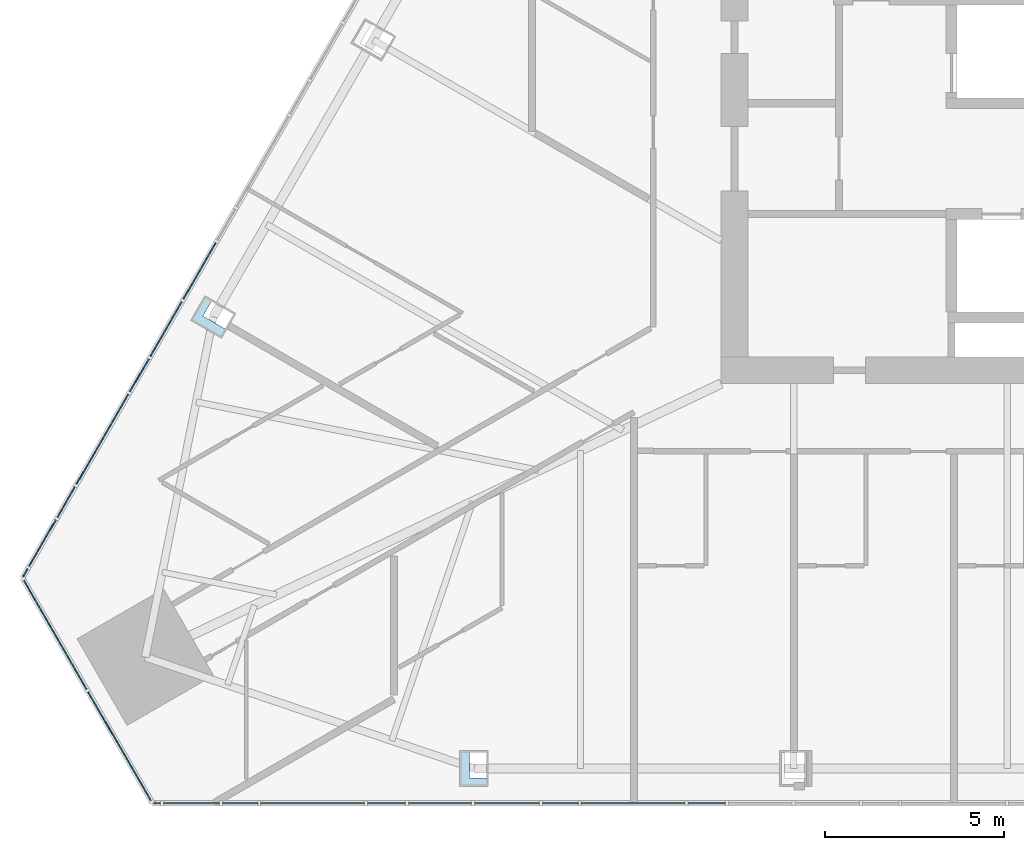
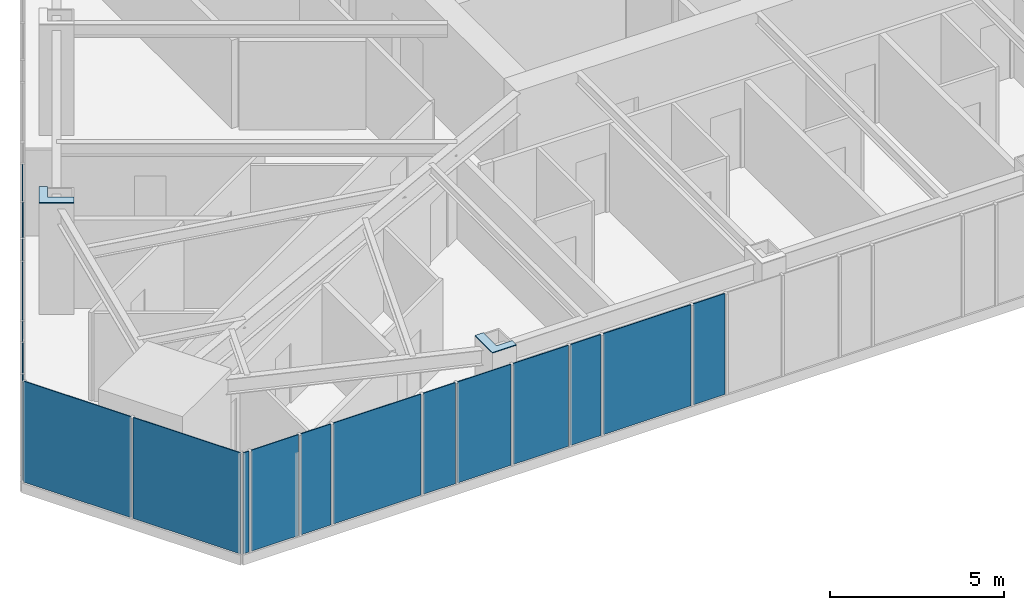
# One storey, part 13 of 26: 21 plates, 3 elements without a shape of their own.
"""IFC4 building model written with IfcOpenShell, lengths in metres."""

import ifcopenshell
import ifcopenshell.guid

model = None  # the IFC model being written
_history = None  # IfcOwnerHistory: only IFC2X3 demands one
_inside = {}  # id of a spatial element -> (the spatial element, [elements in it])
_under = {}  # id of a project, library or spatial element -> (it, [spatial elements below it])
_declared = {}  # id of a project -> (the project, [libraries it declares])
_typed = {}  # id of a type object -> (the type object, [elements of that type])
_made_of = {}  # id of a material, layer set ... -> (it, [elements and type objects made of it])


def new_model(schema):
    """Start an empty IFC model of exactly this schema.

    Asked for "IFC4X3", IfcOpenShell would pick the latest addendum, in which some entities
    have other attributes; the version numbers below select the first issue.
    IFC2X3 requires an IfcOwnerHistory on every rooted entity: one is made here for all.
    """
    global model, _history
    if schema == "IFC4X3":
        model = ifcopenshell.file(schema_version=(4, 3, 0, 0))
    else:
        model = ifcopenshell.file(schema=schema)
    _inside.clear()
    _under.clear()
    _declared.clear()
    _typed.clear()
    _made_of.clear()
    _history = None
    if model.schema == "IFC2X3":
        org = make("IfcOrganization", Name="unknown")
        user = make(
            "IfcPersonAndOrganization",
            ThePerson=make("IfcPerson", FamilyName="unknown"),
            TheOrganization=org,
        )
        app = make(
            "IfcApplication",
            ApplicationDeveloper=org,
            Version="unknown",
            ApplicationFullName="unknown",
            ApplicationIdentifier="unknown",
        )
        _history = make(
            "IfcOwnerHistory",
            OwningUser=user,
            OwningApplication=app,
            ChangeAction="ADDED",
            CreationDate=0,
        )
    return model


def make(cls, **values):
    """One entity of the class cls with the attributes given. An attribute that is None is left unset."""
    return model.create_entity(
        cls, **{name: value for name, value in values.items() if value is not None}
    )


def rooted(cls, **values):
    """An entity with a GlobalId (a new one), such as an element, a storey or a relation."""
    return make(cls, GlobalId=ifcopenshell.guid.new(), OwnerHistory=_history, **values)


def si_unit(unit_type, name, prefix=None):
    """IfcSIUnit, for example si_unit("LENGTHUNIT", "METRE", prefix="MILLI")."""
    return make("IfcSIUnit", UnitType=unit_type, Prefix=prefix, Name=name)


def assignment(units):
    """IfcUnitAssignment: the units of a project."""
    return None if units is None else make("IfcUnitAssignment", Units=units)


def point(xyz):
    """IfcCartesianPoint."""
    return None if xyz is None else make("IfcCartesianPoint", Coordinates=xyz)


def direction(xyz):
    """IfcDirection."""
    return None if xyz is None else make("IfcDirection", DirectionRatios=xyz)


def frame(location, z_axis=None, x_axis=None):
    """IfcAxis2Placement3D, a coordinate frame: its origin and axes. An axis left out is left unset."""
    return make(
        "IfcAxis2Placement3D",
        Location=point(location),
        Axis=direction(z_axis),
        RefDirection=direction(x_axis),
    )


def origin():
    """The frame at (0, 0, 0) with its axes left unset."""
    return frame((0.0, 0.0, 0.0))


def place(relative_to, where):
    """IfcLocalPlacement: puts the frame where relative to a parent placement (None: the world)."""
    return make(
        "IfcLocalPlacement", PlacementRelTo=relative_to, RelativePlacement=where
    )


def context(
    kind, dimensions, precision=None, world=None, true_north=None, identifier=None
):
    """IfcGeometricRepresentationContext, for example the 3D "Model" context."""
    return make(
        "IfcGeometricRepresentationContext",
        ContextIdentifier=identifier,
        ContextType=kind,
        CoordinateSpaceDimension=dimensions,
        Precision=precision,
        WorldCoordinateSystem=world,
        TrueNorth=true_north,
    )


def subcontext(parent, identifier, kind, view, scale=None):
    """IfcGeometricRepresentationSubContext, for example "Body" below "Model"."""
    return make(
        "IfcGeometricRepresentationSubContext",
        ContextIdentifier=identifier,
        ContextType=kind,
        ParentContext=parent,
        TargetScale=scale,
        TargetView=view,
    )


def project(units=None, contexts=None):
    """IfcProject with its units and contexts."""
    return rooted(
        "IfcProject",
        Name="project",
        RepresentationContexts=contexts,
        UnitsInContext=assignment(units),
    )


def spatial(cls, under=None, at=None, **own):
    """A site, building, storey or space (cls), placed at a placement, below another one or the project."""
    s = rooted(cls, ObjectPlacement=at, **own)
    if under is not None:
        _under.setdefault(under.id(), (under, []))[1].append(s)
    return s


def polyline(points):
    """IfcPolyline through the points."""
    return make("IfcPolyline", Points=[point(p) for p in points])


def outline(outer, holes=None, kind="AREA"):
    """IfcArbitraryClosedProfileDef: a profile drawn as a closed curve; with holes, ...WithVoids."""
    if holes is None:
        return make("IfcArbitraryClosedProfileDef", ProfileType=kind, OuterCurve=outer)
    return make(
        "IfcArbitraryProfileDefWithVoids",
        ProfileType=kind,
        OuterCurve=outer,
        InnerCurves=holes,
    )


def extrude(swept, where, along, depth):
    """IfcExtrudedAreaSolid: the profile swept, set in the frame where, extruded along a direction by depth."""
    return make(
        "IfcExtrudedAreaSolid",
        SweptArea=swept,
        Position=where,
        ExtrudedDirection=direction(along),
        Depth=depth,
    )


def shape(context_of_items, identifier, shape_type, items):
    """IfcShapeRepresentation: the items that make up one representation, for example the "Body"."""
    return make(
        "IfcShapeRepresentation",
        ContextOfItems=context_of_items,
        RepresentationIdentifier=identifier,
        RepresentationType=shape_type,
        Items=items,
    )


def material(Name=None, Category=None):
    """IfcMaterial."""
    return make("IfcMaterial", Name=Name, Category=Category)


def layer(
    of_material, thickness, ventilated=None, Name=None, Category=None, Priority=None
):
    """IfcMaterialLayer: one layer of a wall or slab, of a material (None: an air gap)."""
    return make(
        "IfcMaterialLayer",
        Material=of_material,
        LayerThickness=thickness,
        IsVentilated=ventilated,
        Name=Name,
        Category=Category,
        Priority=Priority,
    )


def layer_set(layers, Name=None):
    """IfcMaterialLayerSet."""
    return make("IfcMaterialLayerSet", MaterialLayers=layers, LayerSetName=Name)


def made_of(thing, what):
    """Note that an element or type object is made of a material, layer set ...; save() writes the relation."""
    if what is not None:
        _made_of.setdefault(what.id(), (what, []))[1].append(thing)
    return thing


def type_object(cls, material=None, **own):
    """A type object (cls), such as IfcWallType, which elements share."""
    return made_of(rooted(cls, **own), material)


def element(
    cls,
    number,
    at=None,
    inside=None,
    cuts=None,
    type_object=None,
    material=None,
    context=None,
    identifier="Body",
    shape_type=None,
    held_by="IfcProductDefinitionShape",
    body=None,
    shapes=None,
    **own,
):
    """One element of the class cls, such as IfcWall. Its Tag is "e" and its number.

    at: its placement. inside: the storey or other place that contains it. cuts: it is an
    opening in that element (IfcRelVoidsElement). A single representation is given by context,
    identifier, shape_type and body (its items); several are given by shapes. held_by: the class
    of the entity that holds the representations. save() writes the other relations.
    """
    e = rooted(cls, Tag="e%d" % number, ObjectPlacement=at, **own)
    if body is not None:
        shapes = [shape(context, identifier, shape_type, body)]
    if shapes is not None:
        e.Representation = make(held_by, Representations=shapes)
    if inside is not None:
        _inside.setdefault(inside.id(), (inside, []))[1].append(e)
    if cuts is not None:
        rooted(
            "IfcRelVoidsElement", RelatingBuildingElement=cuts, RelatedOpeningElement=e
        )
    if type_object is not None:
        _typed.setdefault(type_object.id(), (type_object, []))[1].append(e)
    return made_of(e, material)


def aggregate(whole, parts):
    """IfcRelAggregates: a whole, such as a stair, and the parts it consists of."""
    return rooted("IfcRelAggregates", RelatingObject=whole, RelatedObjects=parts)


def save(model, path):
    """Write the relations noted so far, then the file.

    IfcRelAggregates (storeys below a building ...), IfcRelContainedInSpatialStructure (elements
    in a storey), IfcRelDefinesByType, IfcRelAssociatesMaterial and IfcRelDeclares: one each for
    every whole, place, type object, material and project.
    """
    for whole, parts in _under.values():
        aggregate(whole, parts)
    for where, things in _inside.values():
        rooted(
            "IfcRelContainedInSpatialStructure",
            RelatedElements=things,
            RelatingStructure=where,
        )
    for kind, things in _typed.values():
        rooted("IfcRelDefinesByType", RelatedObjects=things, RelatingType=kind)
    for what, things in _made_of.values():
        rooted("IfcRelAssociatesMaterial", RelatedObjects=things, RelatingMaterial=what)
    for by, libraries in _declared.values():
        rooted("IfcRelDeclares", RelatingContext=by, RelatedDefinitions=libraries)
    model.write(path)


model = new_model("IFC4")

# Units and contexts
model_context = context("Model", 3, precision=1e-05, world=origin(), true_north=direction((0.0, 1.0)))
body_context = subcontext(model_context, "Body", "Model", "MODEL_VIEW")
ifc_project = project(units=[si_unit("LENGTHUNIT", "METRE"), si_unit("AREAUNIT", "SQUARE_METRE"), si_unit("VOLUMEUNIT", "CUBIC_METRE"), si_unit("PLANEANGLEUNIT", "RADIAN"), si_unit("MASSUNIT", "GRAM", prefix="KILO")], contexts=[model_context])

# Site, building, storey
site_placement = place(None, origin())
site = spatial("IfcSite", under=ifc_project, at=site_placement, CompositionType="ELEMENT")
building_placement = place(site_placement, origin())
building = spatial("IfcBuilding", under=site, at=building_placement, Name="Firuza Gate Tower and Library", CompositionType="ELEMENT")
storey_placement = place(building_placement, frame((0.0, 0.0, 175.300048828125)))
storey = spatial("IfcBuildingStorey", under=building, at=storey_placement, Name="L40", CompositionType="ELEMENT", Elevation=175.300048828125)

# Plates
ifc_material_1 = material(Name="Steel S355", Category="steel")
ifc_layer_1 = layer(ifc_material_1, 0.030029296875)
ifc_layer_set_1 = layer_set([ifc_layer_1], Name="Column infill plate 30 Steel S355")
plate_type_1 = type_object("IfcPlateType", Name="Column infill plate 30 Steel S355", PredefinedType="SHEET", material=ifc_layer_set_1)
placement_1 = place(storey_placement, frame((0.0, 0.0, 3.89990234375)))
element("IfcPlate", 1, at=placement_1, inside=storey, type_object=plate_type_1, Name="Infill plate L40:S1", PredefinedType="SHEET", context=body_context, shape_type="SweptSolid", body=[
    extrude(outline(polyline([(57.47607421875, 55.720458984375), (57.47607421875, 55.959716796875), (56.952392578125, 55.959716796875), (56.952392578125, 56.720458984375), (56.676025390625, 56.720458984375), (56.676025390625, 55.720458984375), (57.47607421875, 55.720458984375)])), origin(), (0.0, 0.0, 1.0), 0.030029296875),
])
element("IfcPlate", 2, at=placement_1, inside=storey, type_object=plate_type_1, Name="Infill plate L40:W5", PredefinedType="SHEET", context=body_context, shape_type="SweptSolid", body=[
    extrude(outline(polyline([(50.007568359375, 68.270751953125), (50.145751953125, 68.510009765625), (49.48681640625, 68.890380859375), (49.748779296875, 69.343994140625), (49.54150390625, 69.463623046875), (49.1416015625, 68.770751953125), (50.007568359375, 68.270751953125)])), origin(), (0.0, 0.0, 1.0), 0.030029296875),
])

# Curtain wall, plates
ifc_material_2 = material(Name="Aluminium 6063-T6", Category="aluminium")
ifc_layer_2 = layer(ifc_material_2, 0.14990234375)
ifc_layer_set_2 = layer_set([ifc_layer_2], Name="Corner curtain wall, chamfers")
curtain_wall_type_1 = type_object("IfcCurtainWallType", Name="Corner curtain wall, chamfers", PredefinedType="NOTDEFINED", material=ifc_layer_set_2)
placement_2 = place(storey_placement, origin())
curtain_wall_1 = element("IfcCurtainWall", 3, at=placement_2, inside=storey, type_object=curtain_wall_type_1, Name="CW4 L40 SW corner", PredefinedType="NOTDEFINED")
ifc_material_3 = material(Name="Fritted glass", Category="glass")
ifc_layer_3 = layer(ifc_material_3, 0.030029296875)
ifc_layer_set_3 = layer_set([ifc_layer_3], Name="Fritted glass unit, corners")
plate_type_2 = type_object("IfcPlateType", Name="Fritted glass unit, corners", PredefinedType="CURTAIN_PANEL", material=ifc_layer_set_3)
plate_3_placement = place(storey_placement, frame((44.4345703125, 61.513916015625, 0.14990234375), z_axis=(-0.866016723041, -0.500015035186, 0.0), x_axis=(0.500015035186, -0.866016723041, 0.0)))
plate_3 = element("IfcPlate", 4, at=plate_3_placement, type_object=plate_type_2, Name="Glass unit", PredefinedType="CURTAIN_PANEL", context=body_context, shape_type="SweptSolid", body=[
    extrude(outline(polyline([(0.0, 0.0), (3.5633694106530625, 0.0), (3.5633694106530625, 3.550048828125), (0.0, 3.550048828125), (0.0, 0.0)])), origin(), (0.0, 0.0, -1.0), 0.030029296875),
])
plate_4_placement = place(storey_placement, frame((46.25634765625, 58.358642578125, 0.14990234375), z_axis=(-0.866046390552, -0.49996364809, 0.0), x_axis=(0.49996364809, -0.866046390552, 0.0)))
plate_4 = element("IfcPlate", 5, at=plate_4_placement, type_object=plate_type_2, Name="Glass unit", PredefinedType="CURTAIN_PANEL", context=body_context, shape_type="SweptSolid", body=[
    extrude(outline(polyline([(0.0, 0.0), (3.563247342942594, 0.0), (3.563247342942594, 3.550048828125), (0.0, 3.550048828125), (0.0, 0.0)])), origin(), (0.0, 0.0, -1.0), 0.030029296875),
])
aggregate(curtain_wall_1, [plate_3, plate_4])

ifc_material_4 = material(Name="Aluminium 6063-T6", Category="aluminium")
ifc_layer_4 = layer(ifc_material_4, 0.14990234375)
ifc_layer_set_4 = layer_set([ifc_layer_4], Name="Unitised curtain wall, hotel")
curtain_wall_type_2 = type_object("IfcCurtainWallType", Name="Unitised curtain wall, hotel", PredefinedType="NOTDEFINED", material=ifc_layer_set_4)
curtain_wall_2 = element("IfcCurtainWall", 6, at=placement_2, inside=storey, type_object=curtain_wall_type_2, Name="CW2 L40 S face", PredefinedType="NOTDEFINED")
ifc_material_5 = material(Name="Fritted glass", Category="glass")
ifc_layer_5 = layer(ifc_material_5, 0.030029296875)
ifc_layer_set_5 = layer_set([ifc_layer_5], Name="Fritted glass unit, hotel")
plate_type_3 = type_object("IfcPlateType", Name="Fritted glass unit, hotel", PredefinedType="CURTAIN_PANEL", material=ifc_layer_set_5)
plate_5_placement = place(storey_placement, frame((48.376953125, 55.23046875, 0.14990234375), z_axis=(0.0, -1.0, 0.0), x_axis=(1.0, 0.0, 0.0)))
plate_5 = element("IfcPlate", 7, at=plate_5_placement, type_object=plate_type_3, Name="Glass unit", PredefinedType="CURTAIN_PANEL", context=body_context, shape_type="SweptSolid", body=[
    extrude(outline(polyline([(0.0, 0.0), (1.5751953125, 0.0), (1.5751953125, 3.550048828125), (0.0, 3.550048828125), (0.0, 0.0)])), origin(), (0.0, 0.0, -1.0), 0.030029296875),
])
plate_6_placement = place(storey_placement, frame((55.238037109375, 55.23046875, 0.14990234375), z_axis=(0.0, -1.0, 0.0), x_axis=(1.0, 0.0, 0.0)))
plate_6 = element("IfcPlate", 8, at=plate_6_placement, type_object=plate_type_3, Name="Glass unit", PredefinedType="CURTAIN_PANEL", context=body_context, shape_type="SweptSolid", body=[
    extrude(outline(polyline([(0.0, 0.0), (1.769287109375, 0.0), (1.769287109375, 3.550048828125), (0.0, 3.550048828125), (0.0, 0.0)])), origin(), (0.0, 0.0, -1.0), 0.030029296875),
])
plate_7_placement = place(storey_placement, frame((57.087158203125, 55.23046875, 0.14990234375), z_axis=(0.0, -1.0, 0.0), x_axis=(1.0, 0.0, 0.0)))
plate_7 = element("IfcPlate", 9, at=plate_7_placement, type_object=plate_type_3, Name="Glass unit", PredefinedType="CURTAIN_PANEL", context=body_context, shape_type="SweptSolid", body=[
    extrude(outline(polyline([(0.0, 0.0), (1.826904296875, 0.0), (1.826904296875, 3.550048828125), (0.0, 3.550048828125), (0.0, 0.0)])), origin(), (0.0, 0.0, -1.0), 0.030029296875),
])

curtain_wall_3 = element("IfcCurtainWall", 10, at=placement_2, inside=storey, type_object=curtain_wall_type_2, Name="CW2 L40 W face", PredefinedType="NOTDEFINED")
plate_8_placement = place(storey_placement, frame((49.836181640625, 70.953857421875, 0.14990234375), z_axis=(-0.866038699073, 0.499976971178, 0.0), x_axis=(-0.499976971178, -0.866038699073, 0.0)))
plate_8 = element("IfcPlate", 11, at=plate_8_placement, type_object=plate_type_3, Name="Glass unit", PredefinedType="CURTAIN_PANEL", context=body_context, shape_type="SweptSolid", body=[
    extrude(outline(polyline([(0.0, 0.0), (1.8267442917891878, 0.0), (1.8267442917891878, 3.550048828125), (0.0, 3.550048828125), (0.0, 0.0)])), origin(), (0.0, 0.0, -1.0), 0.030029296875),
])
plate_9_placement = place(storey_placement, frame((48.8828125, 69.302490234375, 0.14990234375), z_axis=(-0.866017810474, 0.500013151769, 0.0), x_axis=(-0.500013151769, -0.866017810474, 0.0)))
plate_9 = element("IfcPlate", 12, at=plate_9_placement, type_object=plate_type_3, Name="Glass unit", PredefinedType="CURTAIN_PANEL", context=body_context, shape_type="SweptSolid", body=[
    extrude(outline(polyline([(0.0, 0.0), (1.7689964378864484, 0.0), (1.7689964378864484, 3.550048828125), (0.0, 3.550048828125), (0.0, 0.0)])), origin(), (0.0, 0.0, -1.0), 0.030029296875),
])
plate_10_placement = place(storey_placement, frame((45.355224609375, 63.192626953125, 0.14990234375), z_axis=(-0.865975554641, 0.500086331311, 0.0), x_axis=(-0.500086331311, -0.865975554641, 0.0)))
plate_10 = element("IfcPlate", 13, at=plate_10_placement, type_object=plate_type_3, Name="Glass unit", PredefinedType="CURTAIN_PANEL", context=body_context, shape_type="SweptSolid", body=[
    extrude(outline(polyline([(0.0, 0.0), (1.5099931868658403, 0.0), (1.5099931868658403, 3.550048828125), (0.0, 3.550048828125), (0.0, 0.0)])), origin(), (0.0, 0.0, -1.0), 0.030029296875),
])

# Plate
ifc_material_6 = material(Name="Glazed ceramic tile")
ifc_layer_6 = layer(ifc_material_6, 0.030029296875)
ifc_layer_set_6 = layer_set([ifc_layer_6], Name="Opaque ceramic panel, hotel")
plate_type_4 = type_object("IfcPlateType", Name="Opaque ceramic panel, hotel", PredefinedType="CURTAIN_PANEL", material=ifc_layer_set_6)
plate_11_placement = place(storey_placement, frame((48.11083984375, 55.23046875, 0.14990234375), z_axis=(0.0, -1.0, 0.0), x_axis=(1.0, 0.0, 0.0)))
plate_11 = element("IfcPlate", 14, at=plate_11_placement, type_object=plate_type_4, Name="Opaque ceramic panel", PredefinedType="CURTAIN_PANEL", context=body_context, shape_type="SweptSolid", body=[
    extrude(outline(polyline([(0.0, 0.0), (0.186279296875, 0.0), (0.186279296875, 3.550048828125), (0.0, 3.550048828125), (0.0, 0.0)])), origin(), (0.0, 0.0, -1.0), 0.030029296875),
])

plate_12_placement = place(storey_placement, frame((50.0322265625, 55.23046875, 0.14990234375), z_axis=(0.0, -1.0, 0.0), x_axis=(1.0, 0.0, 0.0)))
plate_12 = element("IfcPlate", 15, at=plate_12_placement, type_object=plate_type_4, Name="Opaque ceramic panel", PredefinedType="CURTAIN_PANEL", context=body_context, shape_type="SweptSolid", body=[
    extrude(outline(polyline([(0.0, 0.0), (0.99072265625, 0.0), (0.99072265625, 3.550048828125), (0.0, 3.550048828125), (0.0, 0.0)])), origin(), (0.0, 0.0, -1.0), 0.030029296875),
])

plate_13_placement = place(storey_placement, frame((51.10302734375, 55.23046875, 0.14990234375), z_axis=(0.0, -1.0, 0.0), x_axis=(1.0, 0.0, 0.0)))
plate_13 = element("IfcPlate", 16, at=plate_13_placement, type_object=plate_type_4, Name="Opaque ceramic panel", PredefinedType="CURTAIN_PANEL", context=body_context, shape_type="SweptSolid", body=[
    extrude(outline(polyline([(0.0, 0.0), (2.912109375, 0.0), (2.912109375, 3.550048828125), (0.0, 3.550048828125), (0.0, 0.0)])), origin(), (0.0, 0.0, -1.0), 0.030029296875),
])

plate_14_placement = place(storey_placement, frame((54.09521484375, 55.23046875, 0.14990234375), z_axis=(0.0, -1.0, 0.0), x_axis=(1.0, 0.0, 0.0)))
plate_14 = element("IfcPlate", 17, at=plate_14_placement, type_object=plate_type_4, Name="Opaque ceramic panel", PredefinedType="CURTAIN_PANEL", context=body_context, shape_type="SweptSolid", body=[
    extrude(outline(polyline([(0.0, 0.0), (1.06298828125, 0.0), (1.06298828125, 3.550048828125), (0.0, 3.550048828125), (0.0, 0.0)])), origin(), (0.0, 0.0, -1.0), 0.030029296875),
])

plate_15_placement = place(storey_placement, frame((58.994140625, 55.23046875, 0.14990234375), z_axis=(0.0, -1.0, 0.0), x_axis=(1.0, 0.0, 0.0)))
plate_15 = element("IfcPlate", 18, at=plate_15_placement, type_object=plate_type_4, Name="Opaque ceramic panel", PredefinedType="CURTAIN_PANEL", context=body_context, shape_type="SweptSolid", body=[
    extrude(outline(polyline([(0.0, 0.0), (1.00537109375, 0.0), (1.00537109375, 3.550048828125), (0.0, 3.550048828125), (0.0, 0.0)])), origin(), (0.0, 0.0, -1.0), 0.030029296875),
])

plate_16_placement = place(storey_placement, frame((60.079345703125, 55.23046875, 0.14990234375), z_axis=(0.0, -1.0, 0.0), x_axis=(1.0, 0.0, 0.0)))
plate_16 = element("IfcPlate", 19, at=plate_16_placement, type_object=plate_type_4, Name="Opaque ceramic panel", PredefinedType="CURTAIN_PANEL", context=body_context, shape_type="SweptSolid", body=[
    extrude(outline(polyline([(0.0, 0.0), (2.912109375, 0.0), (2.912109375, 3.550048828125), (0.0, 3.550048828125), (0.0, 0.0)])), origin(), (0.0, 0.0, -1.0), 0.030029296875),
])

plate_17_placement = place(storey_placement, frame((63.071533203125, 55.23046875, 0.14990234375), z_axis=(0.0, -1.0, 0.0), x_axis=(1.0, 0.0, 0.0)))
plate_17 = element("IfcPlate", 20, at=plate_17_placement, type_object=plate_type_4, Name="Opaque ceramic panel", PredefinedType="CURTAIN_PANEL", context=body_context, shape_type="SweptSolid", body=[
    extrude(outline(polyline([(0.0, 0.0), (1.048583984375, 0.0), (1.048583984375, 3.550048828125), (0.0, 3.550048828125), (0.0, 0.0)])), origin(), (0.0, 0.0, -1.0), 0.030029296875),
])

aggregate(curtain_wall_2, [plate_11, plate_5, plate_12, plate_13, plate_14, plate_6, plate_7, plate_15, plate_16, plate_17])

plate_18_placement = place(storey_placement, frame((47.958251953125, 67.701171875, 0.14990234375), z_axis=(-0.866044085476, 0.499967640965, 0.0), x_axis=(-0.499967640965, -0.866044085476, 0.0)))
plate_18 = element("IfcPlate", 21, at=plate_18_placement, type_object=plate_type_4, Name="Opaque ceramic panel", PredefinedType="CURTAIN_PANEL", context=body_context, shape_type="SweptSolid", body=[
    extrude(outline(polyline([(0.0, 0.0), (1.0630570802516242, 0.0), (1.0630570802516242, 3.550048828125), (0.0, 3.550048828125), (0.0, 0.0)])), origin(), (0.0, 0.0, -1.0), 0.030029296875),
])

plate_19_placement = place(storey_placement, frame((47.38671875, 66.71142578125, 0.14990234375), z_axis=(-0.866026430432, 0.49999822179, 0.0), x_axis=(-0.49999822179, -0.866026430432, 0.0)))
plate_19 = element("IfcPlate", 22, at=plate_19_placement, type_object=plate_type_4, Name="Opaque ceramic panel", PredefinedType="CURTAIN_PANEL", context=body_context, shape_type="SweptSolid", body=[
    extrude(outline(polyline([(0.0, 0.0), (2.9121197317183585, 0.0), (2.9121197317183585, 3.550048828125), (0.0, 3.550048828125), (0.0, 0.0)])), origin(), (0.0, 0.0, -1.0), 0.030029296875),
])

plate_20_placement = place(storey_placement, frame((45.890625, 64.1201171875, 0.14990234375), z_axis=(-0.86606660439, 0.499928631667, 0.0), x_axis=(-0.499928631667, -0.86606660439, 0.0)))
plate_20 = element("IfcPlate", 23, at=plate_20_placement, type_object=plate_type_4, Name="Opaque ceramic panel", PredefinedType="CURTAIN_PANEL", context=body_context, shape_type="SweptSolid", body=[
    extrude(outline(polyline([(0.0, 0.0), (0.9908640888874668, 0.0), (0.9908640888874668, 3.550048828125), (0.0, 3.550048828125), (0.0, 0.0)])), origin(), (0.0, 0.0, -1.0), 0.030029296875),
])

plate_21_placement = place(storey_placement, frame((44.560302734375, 61.815673828125, 0.14990234375), z_axis=(-0.865780878536, 0.500423291185, 0.0), x_axis=(-0.500423291185, -0.865780878536, 0.0)))
plate_21 = element("IfcPlate", 24, at=plate_21_placement, type_object=plate_type_4, Name="Opaque ceramic panel", PredefinedType="CURTAIN_PANEL", context=body_context, shape_type="SweptSolid", body=[
    extrude(outline(polyline([(0.0, 0.0), (0.2512521381192305, 0.0), (0.2512521381192305, 3.550048828125), (0.0, 3.550048828125), (0.0, 0.0)])), origin(), (0.0, 0.0, -1.0), 0.030029296875),
])

aggregate(curtain_wall_3, [plate_8, plate_9, plate_18, plate_19, plate_20, plate_10, plate_21])

save(model, "model.ifc")
